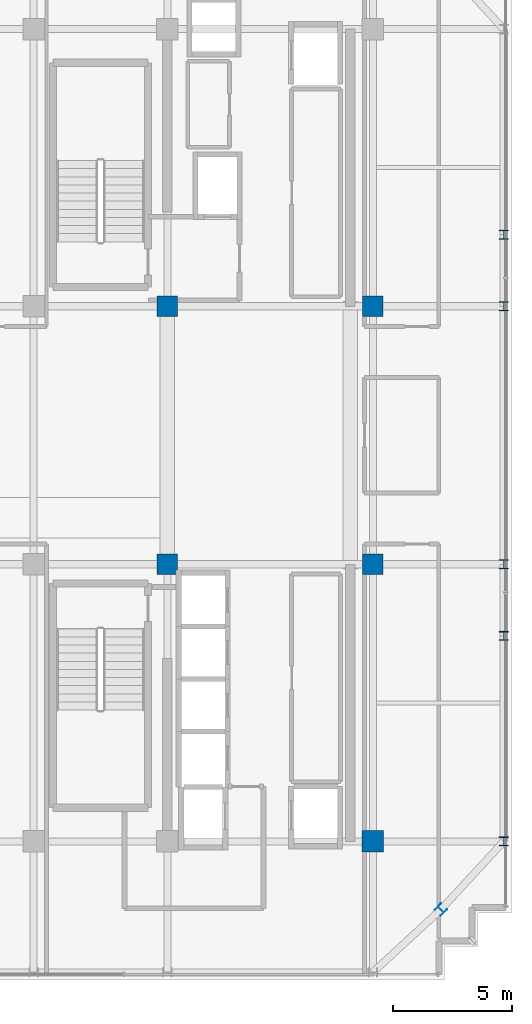
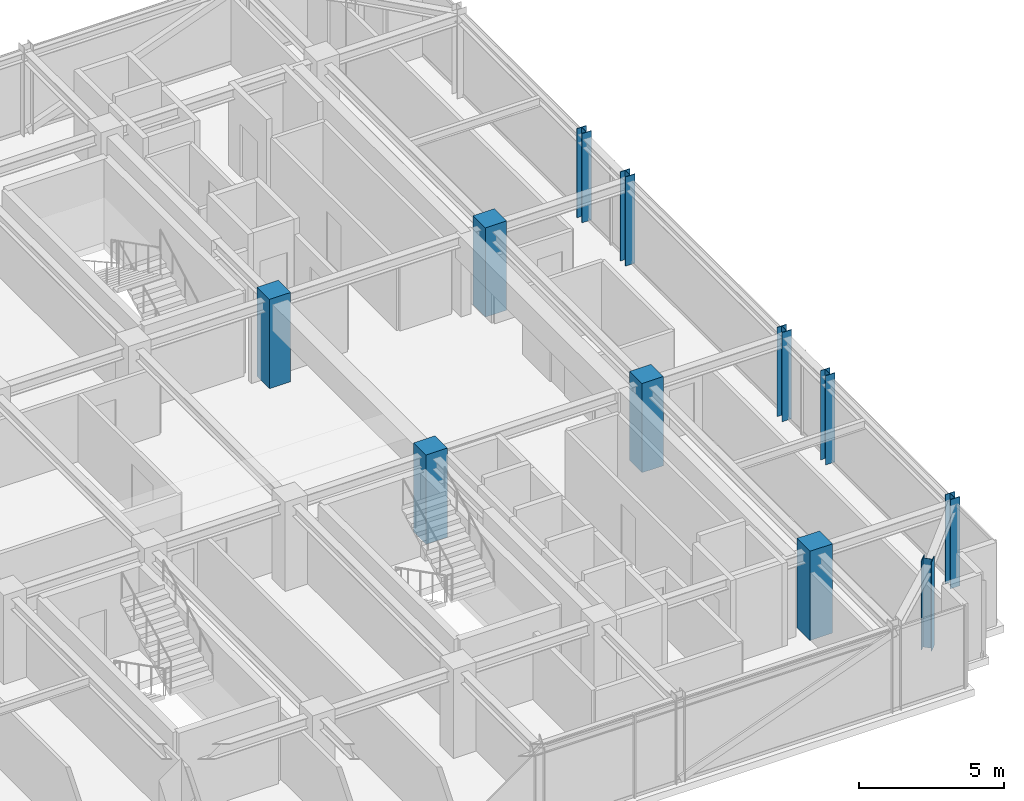
# One storey, part 2 of 36: 11 columns.
"""IFC4 building model written with IfcOpenShell, lengths in metres."""

from ifc_helpers import new_model, si_unit, direction, frame, origin, origin_2d, place, context, subcontext, project, spatial, rectangle, i_section, extrude, source, transform, mapped, material, material_profile, profile_set, type_object, element, save


model = new_model("IFC4")

# Units and contexts
model_context = context("Model", 3, precision=1e-05, world=origin(), true_north=direction((0.0, 1.0)))
body_context = subcontext(model_context, "Body", "Model", "MODEL_VIEW")
ifc_project = project(units=[si_unit("LENGTHUNIT", "METRE"), si_unit("AREAUNIT", "SQUARE_METRE"), si_unit("VOLUMEUNIT", "CUBIC_METRE"), si_unit("PLANEANGLEUNIT", "RADIAN"), si_unit("MASSUNIT", "GRAM", prefix="KILO")], contexts=[model_context])

# Site, building, storey
site_placement = place(None, origin())
site = spatial("IfcSite", under=ifc_project, at=site_placement, CompositionType="ELEMENT")
building_placement = place(site_placement, origin())
building = spatial("IfcBuilding", under=site, at=building_placement, Name="Nahalor Promenade Grand Hotel", CompositionType="ELEMENT")
storey_placement = place(building_placement, frame((0.0, 0.0, 319.550048828125)))
storey = spatial("IfcBuildingStorey", under=building, at=storey_placement, Name="L82", CompositionType="ELEMENT", Elevation=319.550048828125)

# Columns
ifc_material_1 = material(Name="Concrete B-50 (C40/50)", Category="concrete")
ifc_material_profile_1 = material_profile(ifc_material_1, rectangle(XDim=0.9, YDim=0.9, at=origin_2d()), Name="RC 900x900")
ifc_profile_set_1 = profile_set([ifc_material_profile_1], Name="Concrete B-50 (C40/50)")
column_type_1 = type_object("IfcColumnType", Name="Col-RC-900", PredefinedType="COLUMN", material=ifc_profile_set_1)
shared_shape_1 = source(origin(), body_context, "Body", "SweptSolid", [
    extrude(rectangle(XDim=0.9, YDim=0.9, at=origin_2d()), origin(), (0.0, 0.0, 1.0), 3.7548828125),
])
column_placement = place(storey_placement, frame((17.0, -17.0, 0.0), z_axis=(0.0, 0.0, 1.0), x_axis=(1.0, 0.0, 0.0)))
element("IfcColumn", 1, at=column_placement, inside=storey, type_object=column_type_1, Name="COL-L82-I50", PredefinedType="COLUMN", context=body_context, shape_type="MappedRepresentation", body=[
    mapped(shared_shape_1, transform((0.0, 0.0, 0.0), scale=1.0)),
])
ifc_material_2 = material(Name="Concrete B-70 (C60/75)", Category="concrete")
ifc_material_profile_2 = material_profile(ifc_material_2, rectangle(XDim=0.85, YDim=0.85, at=origin_2d()), Name="RC 850x850")
ifc_profile_set_2 = profile_set([ifc_material_profile_2], Name="Concrete B-70 (C60/75)")
column_type_2 = type_object("IfcColumnType", Name="Col-Pilaster-850", PredefinedType="PILASTER", material=ifc_profile_set_2)
shared_shape_2 = source(origin(), body_context, "Body", "SweptSolid", [
    extrude(rectangle(XDim=0.85, YDim=0.85, at=origin_2d()), origin(), (0.0, 0.0, 1.0), 3.7548828125),
])
for number, where, z_axis, x_axis, name in (
    (2, (8.39990234375, -5.39990234375, 0.0), (0.0, 0.0, 1.0), (1.0, 0.0, 0.0), "COL-L82-I41"),
    (3, (8.39990234375, 5.39990234375, 0.0), (0.0, 0.0, 1.0), (1.0, 0.0, 0.0), "COL-L82-I42"),
    (4, (17.0, -5.39990234375, 0.0), (0.0, 0.0, 1.0), (1.0, 0.0, 0.0), "COL-L82-I51"),
    (5, (17.0, 5.39990234375, 0.0), (0.0, 0.0, 1.0), (1.0, 0.0, 0.0), "COL-L82-I52"),
):
    element("IfcColumn", number, at=place(storey_placement, frame(where, z_axis=z_axis, x_axis=x_axis)), inside=storey, type_object=column_type_2, Name=name, PredefinedType="PILASTER", context=body_context, shape_type="MappedRepresentation", body=[
        mapped(shared_shape_2, transform((0.0, 0.0, 0.0), scale=1.0)),
    ])
ifc_material_3 = material(Name="Steel S355JR", Category="steel")
ifc_material_profile_3 = material_profile(ifc_material_3, i_section(OverallWidth=0.374, OverallDepth=0.374, WebThickness=0.0144, FlangeThickness=0.0229, at=origin_2d()), Name="HD 360x262")
ifc_profile_set_3 = profile_set([ifc_material_profile_3], Name="Steel S355JR")
column_type_3 = type_object("IfcColumnType", Name="Col-Steel-HD262", PredefinedType="COLUMN", material=ifc_profile_set_3)
shared_shape_3 = source(origin(), body_context, "Body", "SweptSolid", [
    extrude(i_section(OverallWidth=0.374, OverallDepth=0.374, WebThickness=0.0144, FlangeThickness=0.0229, at=origin_2d()), origin(), (0.0, 0.0, 1.0), 3.7548828125),
])
for number, where, z_axis, x_axis, name in (
    (6, (22.47998046875, -17.0, 0.0), (0.0, 0.0, 1.0), (1.0, 0.0, 0.0), "COL-L82-PW-E0"),
    (7, (22.47998046875, -8.39990234375, 0.0), (0.0, 0.0, 1.0), (1.0, 0.0, 0.0), "COL-L82-PW-E1"),
    (8, (22.47998046875, -5.39990234375, 0.0), (0.0, 0.0, 1.0), (1.0, 0.0, 0.0), "COL-L82-PW-E2"),
    (9, (22.47998046875, 5.39990234375, 0.0), (0.0, 0.0, 1.0), (1.0, 0.0, 0.0), "COL-L82-PW-E3"),
    (10, (22.47998046875, 8.39990234375, 0.0), (0.0, 0.0, 1.0), (1.0, 0.0, 0.0), "COL-L82-PW-E4"),
    (11, (19.85009765625, -19.85009765625, 0.0), (0.0, 0.0, 1.0), (0.707106781187, 0.707106781187, 0.0), "COL-L82-CRN-SE"),
):
    element("IfcColumn", number, at=place(storey_placement, frame(where, z_axis=z_axis, x_axis=x_axis)), inside=storey, type_object=column_type_3, Name=name, PredefinedType="COLUMN", context=body_context, shape_type="MappedRepresentation", body=[
        mapped(shared_shape_3, transform((0.0, 0.0, 0.0), scale=1.0)),
    ])

save(model, "model.ifc")
